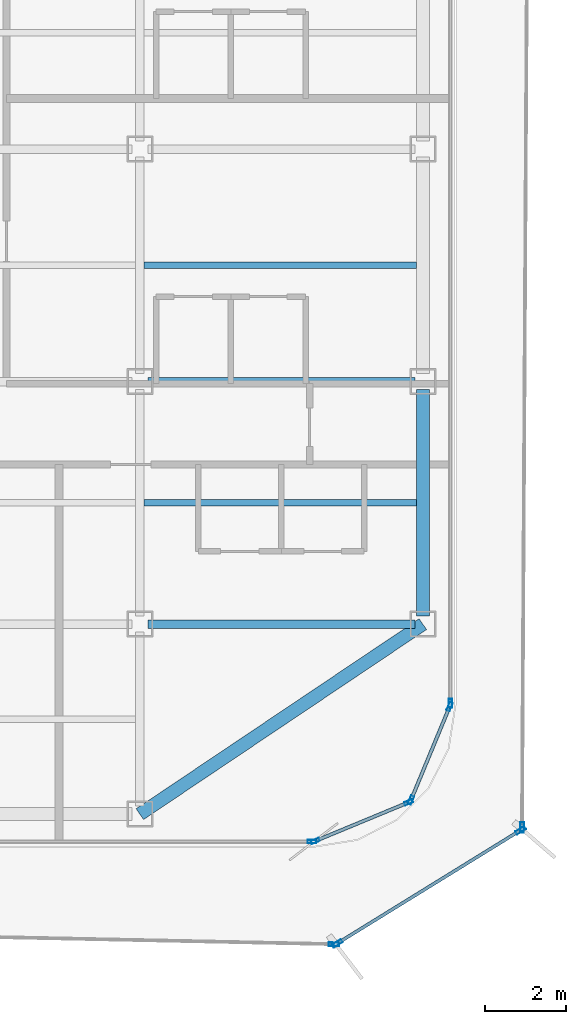
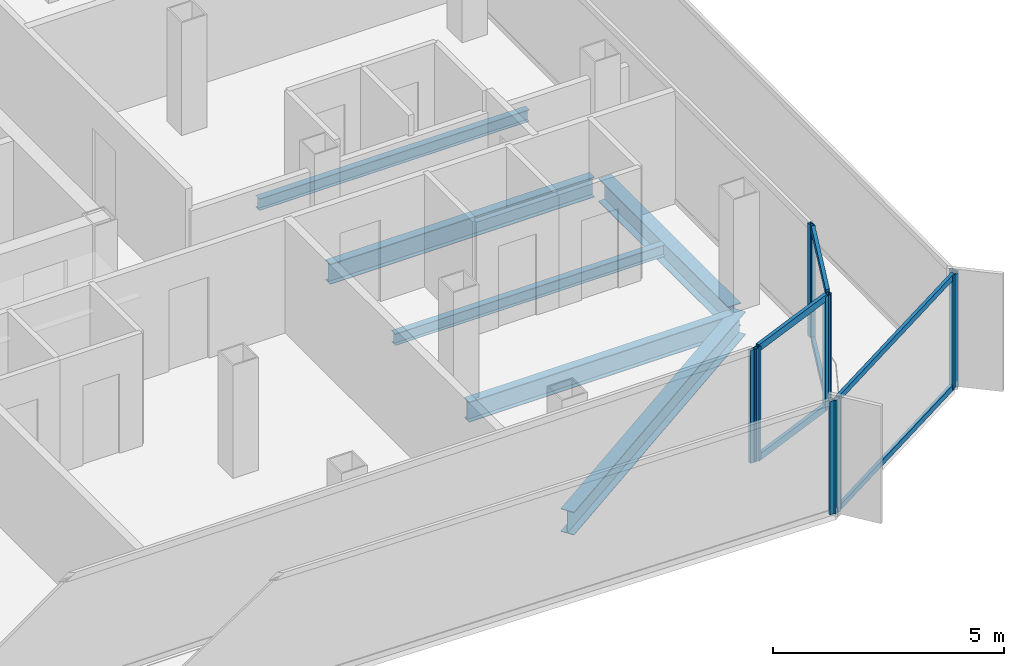
# One storey, part 4 of 16: 16 members, 6 beams, 7 elements without a shape of their own.
"""IFC4 building model written with IfcOpenShell, lengths in metres."""

from ifc_helpers import new_model, si_unit, direction, frame, origin, origin_2d, place, context, subcontext, project, spatial, hollow_rectangle, i_section, extrude, source, transform, mapped, material, layer, layer_set, material_profile, profile_set, type_object, element, aggregate, save


model = new_model("IFC4")

# Units and contexts
model_context = context("Model", 3, precision=1e-05, world=origin(), true_north=direction((0.0, 1.0)))
body_context = subcontext(model_context, "Body", "Model", "MODEL_VIEW")
ifc_project = project(units=[si_unit("LENGTHUNIT", "METRE"), si_unit("AREAUNIT", "SQUARE_METRE"), si_unit("VOLUMEUNIT", "CUBIC_METRE"), si_unit("PLANEANGLEUNIT", "RADIAN"), si_unit("MASSUNIT", "GRAM", prefix="KILO")], contexts=[model_context])

# Site, building, storey
site_placement = place(None, origin())
site = spatial("IfcSite", under=ifc_project, at=site_placement, CompositionType="ELEMENT")
building_placement = place(site_placement, origin())
building = spatial("IfcBuilding", under=site, at=building_placement, Name="Kolveth Station Tower", CompositionType="ELEMENT")
storey_placement = place(building_placement, frame((0.0, 0.0, 232.89990234375)))
storey = spatial("IfcBuildingStorey", under=building, at=storey_placement, Name="L66", CompositionType="ELEMENT", Elevation=232.89990234375)

# Beams
ifc_material_1 = material(Name="Steel S355", Category="steel")
ifc_material_profile_1 = material_profile(ifc_material_1, i_section(OverallWidth=0.323974609375, OverallDepth=0.611083984375, WebThickness=0.0126953125, FlangeThickness=0.01904296875, at=origin_2d()), Name="W610x155")
ifc_profile_set_1 = profile_set([ifc_material_profile_1], Name="Steel S355")
beam_type_1 = type_object("IfcBeamType", Name="Beam_SP2", PredefinedType="SPANDREL", material=ifc_profile_set_1)
shared_shape_1 = source(origin(), body_context, "Body", "SweptSolid", [
    extrude(i_section(OverallWidth=0.323974609375, OverallDepth=0.611083984375, WebThickness=0.0126953125, FlangeThickness=0.01904296875, at=origin_2d()), origin(), (0.0, 0.0, 1.0), 8.431396484375),
])
beam_1_placement = place(storey_placement, frame((34.0, 0.800048828125, -0.525390625), z_axis=(0.830223811004, 0.557430196206, 0.0), x_axis=(-0.557430196206, 0.830223811004, 0.0)))
element("IfcBeam", 1, at=beam_1_placement, inside=storey, type_object=beam_type_1, Name="L66 Corner Edge Girder BM-L66-CNR-SE", PredefinedType="SPANDREL", context=body_context, shape_type="MappedRepresentation", body=[
    mapped(shared_shape_1, transform((0.0, 0.0, 0.0), x_axis=(1.0, 0.0, 0.0), y_axis=(0.0, 1.0, 0.0), z_axis=(0.0, 0.0, 1.0), scale=1.0)),
])
shared_shape_2 = source(origin(), body_context, "Body", "SweptSolid", [
    extrude(i_section(OverallWidth=0.323974609375, OverallDepth=0.611083984375, WebThickness=0.0126953125, FlangeThickness=0.01904296875, at=origin_2d()), origin(), (0.0, 0.0, 1.0), 5.60009765625),
])
beam_2_placement = place(storey_placement, frame((41.0, 5.699951171875, -0.525390625), z_axis=(0.0, 1.0, 0.0), x_axis=(-1.0, 0.0, 0.0)))
element("IfcBeam", 2, at=beam_2_placement, inside=storey, type_object=beam_type_1, Name="L66 Perimeter Spandrel BM-L66-PE-1", PredefinedType="SPANDREL", context=body_context, shape_type="MappedRepresentation", body=[
    mapped(shared_shape_2, transform((0.0, 0.0, 0.0), x_axis=(1.0, 0.0, 0.0), y_axis=(0.0, 1.0, 0.0), z_axis=(0.0, 0.0, 1.0), scale=1.0)),
])
ifc_material_profile_2 = material_profile(ifc_material_1, i_section(OverallWidth=0.2099609375, OverallDepth=0.537109375, WebThickness=0.010986328125, FlangeThickness=0.017333984375, at=origin_2d()), Name="W530x101")
ifc_profile_set_2 = profile_set([ifc_material_profile_2], Name="Steel S355")
beam_type_2 = type_object("IfcBeamType", Name="Beam_B6", PredefinedType="BEAM", material=ifc_profile_set_2)
shared_shape_3 = source(origin(), body_context, "Body", "SweptSolid", [
    extrude(i_section(OverallWidth=0.2099609375, OverallDepth=0.537109375, WebThickness=0.010986328125, FlangeThickness=0.017333984375, at=origin_2d()), origin(), (0.0, 0.0, 1.0), 6.60009765625),
])
for number, where, z_axis, x_axis, name in (
    (3, (34.199951171875, 5.5, -0.48828125), (1.0, 0.0, 0.0), (0.0, 1.0, 0.0), "L66 Primary Girder BM-L66-GY55-5"),
    (4, (34.199951171875, 11.5, -0.48828125), (1.0, 0.0, 0.0), (0.0, 1.0, 0.0), "L66 Primary Girder BM-L66-GY115-5"),
):
    element("IfcBeam", number, at=place(storey_placement, frame(where, z_axis=z_axis, x_axis=x_axis)), inside=storey, type_object=beam_type_2, Name=name, PredefinedType="BEAM", context=body_context, shape_type="MappedRepresentation", body=[
        mapped(shared_shape_3, transform((0.0, 0.0, 0.0), x_axis=(1.0, 0.0, 0.0), y_axis=(0.0, 1.0, 0.0), z_axis=(0.0, 0.0, 1.0), scale=1.0)),
    ])
ifc_material_profile_3 = material_profile(ifc_material_1, i_section(OverallWidth=0.1650390625, OverallDepth=0.31005859375, WebThickness=0.005859375, FlangeThickness=0.009765625, at=origin_2d()), Name="W310x39")
ifc_profile_set_3 = profile_set([ifc_material_profile_3], Name="Steel S355")
beam_type_3 = type_object("IfcBeamType", Name="Beam_J3", PredefinedType="JOIST", material=ifc_profile_set_3)
shared_shape_4 = source(origin(), body_context, "Body", "SweptSolid", [
    extrude(i_section(OverallWidth=0.1650390625, OverallDepth=0.31005859375, WebThickness=0.005859375, FlangeThickness=0.009765625, at=origin_2d()), origin(), (0.0, 0.0, 1.0), 6.737060546875),
])
for number, where, z_axis, x_axis, name in (
    (5, (34.10302734375, 8.5, -0.375), (1.0, 0.0, 0.0), (0.0, 1.0, 0.0), "L66 Secondary Joist JST-L66-5-2"),
    (6, (34.10302734375, 14.375, -0.375), (1.0, 0.0, 0.0), (0.0, 1.0, 0.0), "L66 Secondary Joist JST-L66-5-3"),
):
    element("IfcBeam", number, at=place(storey_placement, frame(where, z_axis=z_axis, x_axis=x_axis)), inside=storey, type_object=beam_type_3, Name=name, PredefinedType="JOIST", context=body_context, shape_type="MappedRepresentation", body=[
        mapped(shared_shape_4, transform((0.0, 0.0, 0.0), x_axis=(1.0, 0.0, 0.0), y_axis=(0.0, 1.0, 0.0), z_axis=(0.0, 0.0, 1.0), scale=1.0)),
    ])

# Curtain wall, members
ifc_material_2 = material(Name="Black anodized aluminium 6063-T6 and dark solar glass", Category="aluminium")
ifc_layer_1 = layer(ifc_material_2, 0.159912109375)
ifc_layer_set_1 = layer_set([ifc_layer_1], Name="Black anodized aluminium 6063-T6 and dark solar glass")
curtain_wall_type_1 = type_object("IfcCurtainWallType", Name="OUTER SKIN CW-OS", PredefinedType="NOTDEFINED", material=ifc_layer_set_1)
curtain_wall_1_placement = place(storey_placement, origin())
curtain_wall_1 = element("IfcCurtainWall", 7, at=curtain_wall_1_placement, inside=storey, type_object=curtain_wall_type_1, Name="L66 Outer Ventilated Skin Curtain Wall 1", PredefinedType="NOTDEFINED")
ifc_material_3 = material(Name="Black anodized aluminium 6063-T6", Category="aluminium")
ifc_material_profile_4 = material_profile(ifc_material_3, hollow_rectangle(XDim=0.090087890625, YDim=0.260009765625, WallThickness=0.0048828125, at=origin_2d()), Name="ALU-90x260x5")
ifc_profile_set_4 = profile_set([ifc_material_profile_4], Name="Black anodized aluminium 6063-T6")
member_type_1 = type_object("IfcMemberType", Name="FIN MULLION ML-OS", PredefinedType="MULLION", material=ifc_profile_set_4)
shared_shape_5 = source(origin(), body_context, "Body", "SweptSolid", [
    extrude(hollow_rectangle(XDim=0.090087890625, YDim=0.260009765625, WallThickness=0.0048828125, at=origin_2d()), origin(), (0.0, 0.0, 1.0), 2.989990234375),
])
member_1_placement = place(storey_placement, frame((38.88330078125, -2.397216796875, 0.0), z_axis=(0.0, 0.0, 1.0), x_axis=(-0.525233573055, 0.850958103397, 0.0)))
member_1 = element("IfcMember", 8, at=member_1_placement, type_object=member_type_1, Name="CW-OS mullion 1", PredefinedType="MULLION", context=body_context, shape_type="MappedRepresentation", body=[
    mapped(shared_shape_5, transform((0.0, 0.0, 0.0), x_axis=(1.0, 0.0, 0.0), y_axis=(0.0, 1.0, 0.0), z_axis=(0.0, 0.0, 1.0), scale=1.0)),
])
member_2_placement = place(storey_placement, frame((43.418212890625, 0.40185546875, 0.0), z_axis=(0.0, 0.0, 1.0), x_axis=(-0.525233573055, 0.850958103397, 0.0)))
member_2 = element("IfcMember", 9, at=member_2_placement, type_object=member_type_1, Name="CW-OS mullion 2", PredefinedType="MULLION", context=body_context, shape_type="MappedRepresentation", body=[
    mapped(shared_shape_5, transform((0.0, 0.0, 0.0), x_axis=(1.0, 0.0, 0.0), y_axis=(0.0, 1.0, 0.0), z_axis=(0.0, 0.0, 1.0), scale=1.0)),
])

# Curtain wall, member
curtain_wall_2_placement = place(storey_placement, origin())
curtain_wall_2 = element("IfcCurtainWall", 10, at=curtain_wall_2_placement, inside=storey, type_object=curtain_wall_type_1, Name="L66 Outer Ventilated Skin Curtain Wall 2", PredefinedType="NOTDEFINED")
member_3_placement = place(storey_placement, frame((43.456787109375, 0.470703125, 0.0), z_axis=(0.0, 0.0, 1.0), x_axis=(-0.999983692019, 0.005711015244, 0.0)))
member_3 = element("IfcMember", 11, at=member_3_placement, type_object=member_type_1, Name="CW-OS mullion 1", PredefinedType="MULLION", context=body_context, shape_type="MappedRepresentation", body=[
    mapped(shared_shape_5, transform((0.0, 0.0, 0.0), x_axis=(1.0, 0.0, 0.0), y_axis=(0.0, 1.0, 0.0), z_axis=(0.0, 0.0, 1.0), scale=1.0)),
])
aggregate(curtain_wall_2, [member_3])

curtain_wall_3_placement = place(storey_placement, origin())
curtain_wall_3 = element("IfcCurtainWall", 12, at=curtain_wall_3_placement, inside=storey, type_object=curtain_wall_type_1, Name="L66 Outer Ventilated Skin Curtain Wall 8", PredefinedType="NOTDEFINED")
member_4_placement = place(storey_placement, frame((38.7998046875, -2.419921875, 0.0), z_axis=(0.0, 0.0, 1.0), x_axis=(0.020908084612, 0.999781402106, 0.0)))
member_4 = element("IfcMember", 13, at=member_4_placement, type_object=member_type_1, Name="CW-OS mullion 2", PredefinedType="MULLION", context=body_context, shape_type="MappedRepresentation", body=[
    mapped(shared_shape_5, transform((0.0, 0.0, 0.0), x_axis=(1.0, 0.0, 0.0), y_axis=(0.0, 1.0, 0.0), z_axis=(0.0, 0.0, 1.0), scale=1.0)),
])
aggregate(curtain_wall_3, [member_4])

# Curtain wall, members
ifc_material_4 = material(Name="Aluminium 6063-T6 and triple low-E dark glass", Category="aluminium")
ifc_layer_2 = layer(ifc_material_4, 0.199951171875)
ifc_layer_set_2 = layer_set([ifc_layer_2], Name="Aluminium 6063-T6 and triple low-E dark glass")
curtain_wall_type_2 = type_object("IfcCurtainWallType", Name="CurtainWall_CW-Z3", PredefinedType="NOTDEFINED", material=ifc_layer_set_2)
curtain_wall_4_placement = place(storey_placement, origin())
curtain_wall_4 = element("IfcCurtainWall", 14, at=curtain_wall_4_placement, inside=storey, type_object=curtain_wall_type_2, Name="L66 Inner Thermal Curtain Wall 1", PredefinedType="NOTDEFINED")
ifc_material_profile_5 = material_profile(ifc_material_3, hollow_rectangle(XDim=0.0849609375, YDim=0.215087890625, WallThickness=0.0048828125, at=origin_2d()), Name="ALU-85x215x5")
ifc_profile_set_5 = profile_set([ifc_material_profile_5], Name="Black anodized aluminium 6063-T6")
member_type_2 = type_object("IfcMemberType", Name="Mullion_ML3", PredefinedType="MULLION", material=ifc_profile_set_5)
shared_shape_6 = source(origin(), body_context, "Body", "SweptSolid", [
    extrude(hollow_rectangle(XDim=0.0849609375, YDim=0.215087890625, WallThickness=0.0048828125, at=origin_2d()), origin(), (0.0, 0.0, 1.0), 2.97998046875),
])
member_5_placement = place(storey_placement, frame((38.33935546875, 0.13623046875, 0.0), z_axis=(0.0, 0.0, 1.0), x_axis=(-0.382693194181, 0.923875488975, 0.0)))
member_5 = element("IfcMember", 15, at=member_5_placement, type_object=member_type_2, Name="CW-Z3 mullion 1", PredefinedType="MULLION", context=body_context, shape_type="MappedRepresentation", body=[
    mapped(shared_shape_6, transform((0.0, 0.0, 0.0), x_axis=(1.0, 0.0, 0.0), y_axis=(0.0, 1.0, 0.0), z_axis=(0.0, 0.0, 1.0), scale=1.0)),
])
member_6_placement = place(storey_placement, frame((40.650634765625, 1.09375, 0.0), z_axis=(0.0, 0.0, 1.0), x_axis=(-0.382693194181, 0.923875488975, 0.0)))
member_6 = element("IfcMember", 16, at=member_6_placement, type_object=member_type_2, Name="CW-Z3 mullion 2", PredefinedType="MULLION", context=body_context, shape_type="MappedRepresentation", body=[
    mapped(shared_shape_6, transform((0.0, 0.0, 0.0), x_axis=(1.0, 0.0, 0.0), y_axis=(0.0, 1.0, 0.0), z_axis=(0.0, 0.0, 1.0), scale=1.0)),
])

curtain_wall_5_placement = place(storey_placement, origin())
curtain_wall_5 = element("IfcCurtainWall", 17, at=curtain_wall_5_placement, inside=storey, type_object=curtain_wall_type_2, Name="L66 Inner Thermal Curtain Wall 2", PredefinedType="NOTDEFINED")
member_7_placement = place(storey_placement, frame((40.706298828125, 1.149169921875, 0.0), z_axis=(0.0, 0.0, 1.0), x_axis=(-0.923875488975, 0.382693194181, 0.0)))
member_7 = element("IfcMember", 18, at=member_7_placement, type_object=member_type_2, Name="CW-Z3 mullion 1", PredefinedType="MULLION", context=body_context, shape_type="MappedRepresentation", body=[
    mapped(shared_shape_6, transform((0.0, 0.0, 0.0), x_axis=(1.0, 0.0, 0.0), y_axis=(0.0, 1.0, 0.0), z_axis=(0.0, 0.0, 1.0), scale=1.0)),
])
member_8_placement = place(storey_placement, frame((41.663818359375, 3.460693359375, 0.0), z_axis=(0.0, 0.0, 1.0), x_axis=(-0.923875488975, 0.382693194181, 0.0)))
member_8 = element("IfcMember", 19, at=member_8_placement, type_object=member_type_2, Name="CW-Z3 mullion 2", PredefinedType="MULLION", context=body_context, shape_type="MappedRepresentation", body=[
    mapped(shared_shape_6, transform((0.0, 0.0, 0.0), x_axis=(1.0, 0.0, 0.0), y_axis=(0.0, 1.0, 0.0), z_axis=(0.0, 0.0, 1.0), scale=1.0)),
])

# Curtain wall, member
curtain_wall_6_placement = place(storey_placement, origin())
curtain_wall_6 = element("IfcCurtainWall", 20, at=curtain_wall_6_placement, inside=storey, type_object=curtain_wall_type_2, Name="L66 Inner Thermal Curtain Wall 3", PredefinedType="NOTDEFINED")
member_9_placement = place(storey_placement, frame((41.679931640625, 3.54248046875, 0.0), z_axis=(0.0, 0.0, 1.0), x_axis=(-1.0, 0.0, 0.0)))
member_9 = element("IfcMember", 21, at=member_9_placement, type_object=member_type_2, Name="CW-Z3 mullion 1", PredefinedType="MULLION", context=body_context, shape_type="MappedRepresentation", body=[
    mapped(shared_shape_6, transform((0.0, 0.0, 0.0), x_axis=(1.0, 0.0, 0.0), y_axis=(0.0, 1.0, 0.0), z_axis=(0.0, 0.0, 1.0), scale=1.0)),
])
aggregate(curtain_wall_6, [member_9])

curtain_wall_7_placement = place(storey_placement, origin())
curtain_wall_7 = element("IfcCurtainWall", 22, at=curtain_wall_7_placement, inside=storey, type_object=curtain_wall_type_2, Name="L66 Inner Thermal Curtain Wall 12", PredefinedType="NOTDEFINED")
member_10_placement = place(storey_placement, frame((38.257568359375, 0.1201171875, 0.0), z_axis=(0.0, 0.0, 1.0), x_axis=(0.0, 1.0, 0.0)))
member_10 = element("IfcMember", 23, at=member_10_placement, type_object=member_type_2, Name="CW-Z3 mullion 2", PredefinedType="MULLION", context=body_context, shape_type="MappedRepresentation", body=[
    mapped(shared_shape_6, transform((0.0, 0.0, 0.0), x_axis=(1.0, 0.0, 0.0), y_axis=(0.0, 1.0, 0.0), z_axis=(0.0, 0.0, 1.0), scale=1.0)),
])
aggregate(curtain_wall_7, [member_10])

# Member
ifc_material_profile_6 = material_profile(ifc_material_3, hollow_rectangle(XDim=0.0849609375, YDim=0.179931640625, WallThickness=0.0048828125, at=origin_2d()), Name="ALU-85x180x5")
ifc_profile_set_6 = profile_set([ifc_material_profile_6], Name="Black anodized aluminium 6063-T6")
member_type_3 = type_object("IfcMemberType", Name="Transom_TR3", PredefinedType="USERDEFINED", material=ifc_profile_set_6)
shared_shape_7 = source(origin(), body_context, "Body", "SweptSolid", [
    extrude(hollow_rectangle(XDim=0.0849609375, YDim=0.179931640625, WallThickness=0.0048828125, at=origin_2d()), origin(), (0.0, 0.0, 1.0), 2.4169921875),
])
member_11_placement = place(storey_placement, frame((38.37841796875, 0.152587890625, 0.04248046875), z_axis=(0.923908507952, 0.382613471971, 0.0), x_axis=(-0.382613471971, 0.923908507952, 0.0)))
member_11 = element("IfcMember", 24, at=member_11_placement, type_object=member_type_3, Name="CW-Z3 transom 1.1", ObjectType="TRANSOM", PredefinedType="USERDEFINED", context=body_context, shape_type="MappedRepresentation", body=[
    mapped(shared_shape_7, transform((0.0, 0.0, 0.0), x_axis=(1.0, 0.0, 0.0), y_axis=(0.0, 1.0, 0.0), z_axis=(0.0, 0.0, 1.0), scale=1.0)),
])

member_12_placement = place(storey_placement, frame((38.37841796875, 0.152587890625, 2.9375), z_axis=(0.923908507952, 0.382613471971, 0.0), x_axis=(-0.382613471971, 0.923908507952, 0.0)))
member_12 = element("IfcMember", 25, at=member_12_placement, type_object=member_type_3, Name="CW-Z3 transom 1.2", ObjectType="TRANSOM", PredefinedType="USERDEFINED", context=body_context, shape_type="MappedRepresentation", body=[
    mapped(shared_shape_7, transform((0.0, 0.0, 0.0), x_axis=(1.0, 0.0, 0.0), y_axis=(0.0, 1.0, 0.0), z_axis=(0.0, 0.0, 1.0), scale=1.0)),
])

aggregate(curtain_wall_4, [member_5, member_6, member_11, member_12])

member_13_placement = place(storey_placement, frame((40.722412109375, 1.1884765625, 0.04248046875), z_axis=(0.382735401206, 0.9238580046, 0.0), x_axis=(-0.9238580046, 0.382735401206, 0.0)))
member_13 = element("IfcMember", 26, at=member_13_placement, type_object=member_type_3, Name="CW-Z3 transom 1.1", ObjectType="TRANSOM", PredefinedType="USERDEFINED", context=body_context, shape_type="MappedRepresentation", body=[
    mapped(shared_shape_7, transform((0.0, 0.0, 0.0), x_axis=(1.0, 0.0, 0.0), y_axis=(0.0, 1.0, 0.0), z_axis=(0.0, 0.0, 1.0), scale=1.0)),
])

member_14_placement = place(storey_placement, frame((40.722412109375, 1.1884765625, 2.9375), z_axis=(0.382735401206, 0.9238580046, 0.0), x_axis=(-0.9238580046, 0.382735401206, 0.0)))
member_14 = element("IfcMember", 27, at=member_14_placement, type_object=member_type_3, Name="CW-Z3 transom 1.2", ObjectType="TRANSOM", PredefinedType="USERDEFINED", context=body_context, shape_type="MappedRepresentation", body=[
    mapped(shared_shape_7, transform((0.0, 0.0, 0.0), x_axis=(1.0, 0.0, 0.0), y_axis=(0.0, 1.0, 0.0), z_axis=(0.0, 0.0, 1.0), scale=1.0)),
])

aggregate(curtain_wall_5, [member_7, member_8, member_13, member_14])

ifc_material_profile_7 = material_profile(ifc_material_3, hollow_rectangle(XDim=0.080078125, YDim=0.14990234375, WallThickness=0.0048828125, at=origin_2d()), Name="ALU-80x150x5")
ifc_profile_set_7 = profile_set([ifc_material_profile_7], Name="Black anodized aluminium 6063-T6")
member_type_4 = type_object("IfcMemberType", Name="Transom_TR-OS", PredefinedType="USERDEFINED", material=ifc_profile_set_7)
shared_shape_8 = source(origin(), body_context, "Body", "SweptSolid", [
    extrude(hollow_rectangle(XDim=0.080078125, YDim=0.14990234375, WallThickness=0.0048828125, at=origin_2d()), origin(), (0.0, 0.0, 1.0), 5.239501953125),
])
member_15_placement = place(storey_placement, frame((38.92138671875, -2.37353515625, 0.0400390625), z_axis=(0.850953594459, 0.525240878148, 0.0), x_axis=(-0.525240878148, 0.850953594459, 0.0)))
member_15 = element("IfcMember", 28, at=member_15_placement, type_object=member_type_4, Name="CW-OS transom 1.1", ObjectType="TRANSOM", PredefinedType="USERDEFINED", context=body_context, shape_type="MappedRepresentation", body=[
    mapped(shared_shape_8, transform((0.0, 0.0, 0.0), x_axis=(1.0, 0.0, 0.0), y_axis=(0.0, 1.0, 0.0), z_axis=(0.0, 0.0, 1.0), scale=1.0)),
])

member_16_placement = place(storey_placement, frame((38.92138671875, -2.37353515625, 2.9501953125), z_axis=(0.850953594459, 0.525240878148, 0.0), x_axis=(-0.525240878148, 0.850953594459, 0.0)))
member_16 = element("IfcMember", 29, at=member_16_placement, type_object=member_type_4, Name="CW-OS transom 1.2", ObjectType="TRANSOM", PredefinedType="USERDEFINED", context=body_context, shape_type="MappedRepresentation", body=[
    mapped(shared_shape_8, transform((0.0, 0.0, 0.0), x_axis=(1.0, 0.0, 0.0), y_axis=(0.0, 1.0, 0.0), z_axis=(0.0, 0.0, 1.0), scale=1.0)),
])

aggregate(curtain_wall_1, [member_1, member_2, member_15, member_16])

save(model, "model.ifc")
